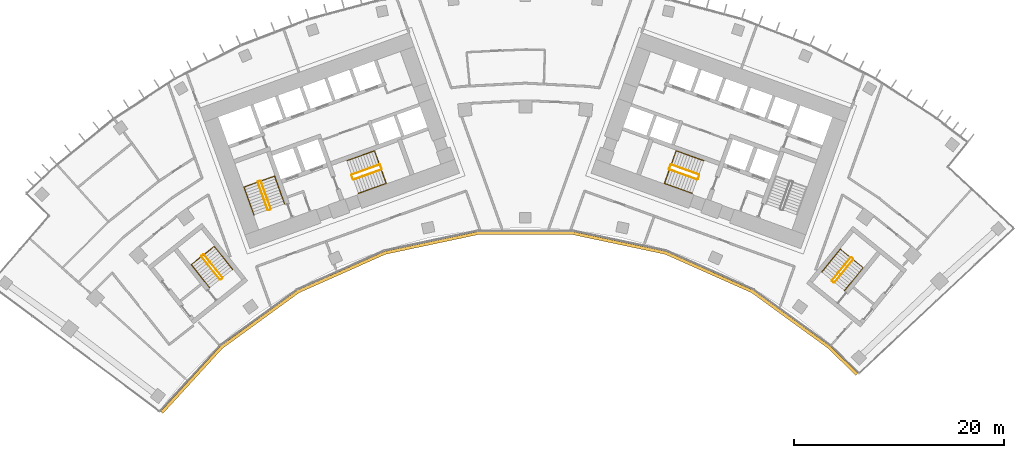
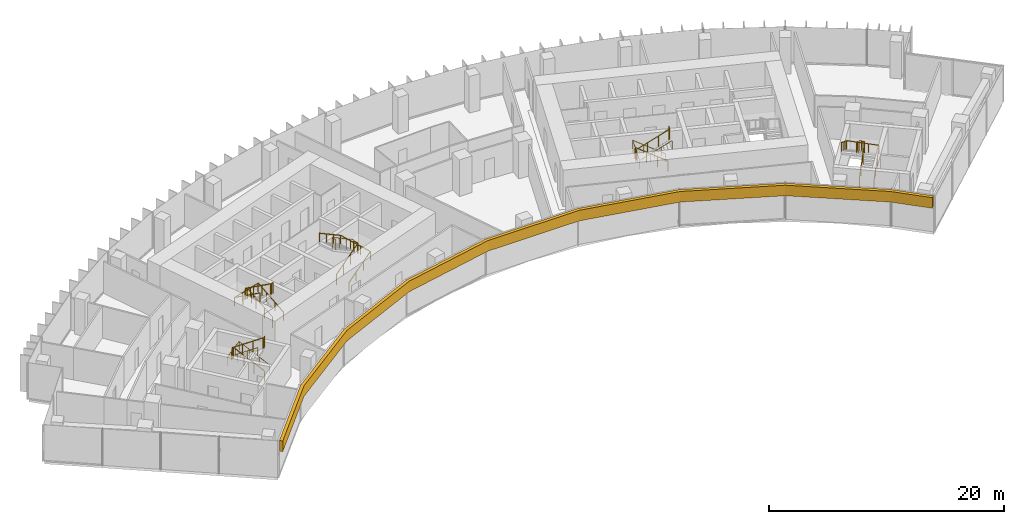
# One storey, part 20 of 21: 15 railings, 1 covering.
"""IFC4 building model written with IfcOpenShell, lengths in metres."""

import ifcopenshell
import ifcopenshell.guid

model = None  # the IFC model being written
_history = None  # IfcOwnerHistory: only IFC2X3 demands one
_inside = {}  # id of a spatial element -> (the spatial element, [elements in it])
_under = {}  # id of a project, library or spatial element -> (it, [spatial elements below it])
_declared = {}  # id of a project -> (the project, [libraries it declares])
_typed = {}  # id of a type object -> (the type object, [elements of that type])
_made_of = {}  # id of a material, layer set ... -> (it, [elements and type objects made of it])


def new_model(schema):
    """Start an empty IFC model of exactly this schema.

    Asked for "IFC4X3", IfcOpenShell would pick the latest addendum, in which some entities
    have other attributes; the version numbers below select the first issue.
    IFC2X3 requires an IfcOwnerHistory on every rooted entity: one is made here for all.
    """
    global model, _history
    if schema == "IFC4X3":
        model = ifcopenshell.file(schema_version=(4, 3, 0, 0))
    else:
        model = ifcopenshell.file(schema=schema)
    _inside.clear()
    _under.clear()
    _declared.clear()
    _typed.clear()
    _made_of.clear()
    _history = None
    if model.schema == "IFC2X3":
        org = make("IfcOrganization", Name="unknown")
        user = make(
            "IfcPersonAndOrganization",
            ThePerson=make("IfcPerson", FamilyName="unknown"),
            TheOrganization=org,
        )
        app = make(
            "IfcApplication",
            ApplicationDeveloper=org,
            Version="unknown",
            ApplicationFullName="unknown",
            ApplicationIdentifier="unknown",
        )
        _history = make(
            "IfcOwnerHistory",
            OwningUser=user,
            OwningApplication=app,
            ChangeAction="ADDED",
            CreationDate=0,
        )
    return model


def make(cls, **values):
    """One entity of the class cls with the attributes given. An attribute that is None is left unset."""
    return model.create_entity(
        cls, **{name: value for name, value in values.items() if value is not None}
    )


def rooted(cls, **values):
    """An entity with a GlobalId (a new one), such as an element, a storey or a relation."""
    return make(cls, GlobalId=ifcopenshell.guid.new(), OwnerHistory=_history, **values)


def si_unit(unit_type, name, prefix=None):
    """IfcSIUnit, for example si_unit("LENGTHUNIT", "METRE", prefix="MILLI")."""
    return make("IfcSIUnit", UnitType=unit_type, Prefix=prefix, Name=name)


def assignment(units):
    """IfcUnitAssignment: the units of a project."""
    return None if units is None else make("IfcUnitAssignment", Units=units)


def point(xyz):
    """IfcCartesianPoint."""
    return None if xyz is None else make("IfcCartesianPoint", Coordinates=xyz)


def direction(xyz):
    """IfcDirection."""
    return None if xyz is None else make("IfcDirection", DirectionRatios=xyz)


def frame(location, z_axis=None, x_axis=None):
    """IfcAxis2Placement3D, a coordinate frame: its origin and axes. An axis left out is left unset."""
    return make(
        "IfcAxis2Placement3D",
        Location=point(location),
        Axis=direction(z_axis),
        RefDirection=direction(x_axis),
    )


def frame_2d(location, x_axis=None):
    """IfcAxis2Placement2D, a coordinate frame in the plane: its origin and x axis."""
    return make(
        "IfcAxis2Placement2D", Location=point(location), RefDirection=direction(x_axis)
    )


def origin():
    """The frame at (0, 0, 0) with its axes left unset."""
    return frame((0.0, 0.0, 0.0))


def origin_2d():
    """The frame at (0, 0) in the plane with its x axis left unset."""
    return frame_2d((0.0, 0.0))


def place(relative_to, where):
    """IfcLocalPlacement: puts the frame where relative to a parent placement (None: the world)."""
    return make(
        "IfcLocalPlacement", PlacementRelTo=relative_to, RelativePlacement=where
    )


def context(
    kind, dimensions, precision=None, world=None, true_north=None, identifier=None
):
    """IfcGeometricRepresentationContext, for example the 3D "Model" context."""
    return make(
        "IfcGeometricRepresentationContext",
        ContextIdentifier=identifier,
        ContextType=kind,
        CoordinateSpaceDimension=dimensions,
        Precision=precision,
        WorldCoordinateSystem=world,
        TrueNorth=true_north,
    )


def subcontext(parent, identifier, kind, view, scale=None):
    """IfcGeometricRepresentationSubContext, for example "Body" below "Model"."""
    return make(
        "IfcGeometricRepresentationSubContext",
        ContextIdentifier=identifier,
        ContextType=kind,
        ParentContext=parent,
        TargetScale=scale,
        TargetView=view,
    )


def project(units=None, contexts=None):
    """IfcProject with its units and contexts."""
    return rooted(
        "IfcProject",
        Name="project",
        RepresentationContexts=contexts,
        UnitsInContext=assignment(units),
    )


def spatial(cls, under=None, at=None, **own):
    """A site, building, storey or space (cls), placed at a placement, below another one or the project."""
    s = rooted(cls, ObjectPlacement=at, **own)
    if under is not None:
        _under.setdefault(under.id(), (under, []))[1].append(s)
    return s


def polyline(points):
    """IfcPolyline through the points."""
    return make("IfcPolyline", Points=[point(p) for p in points])


def profile(cls, at=None, kind="AREA", **sizes):
    """A parametric profile (cls). Its sizes go by their IFC names, for example OverallWidth=200.0."""
    return make(cls, ProfileType=kind, Position=at, **sizes)


def circle(**sizes):
    """IfcCircleProfileDef."""
    return profile("IfcCircleProfileDef", **sizes)


def outline(outer, holes=None, kind="AREA"):
    """IfcArbitraryClosedProfileDef: a profile drawn as a closed curve; with holes, ...WithVoids."""
    if holes is None:
        return make("IfcArbitraryClosedProfileDef", ProfileType=kind, OuterCurve=outer)
    return make(
        "IfcArbitraryProfileDefWithVoids",
        ProfileType=kind,
        OuterCurve=outer,
        InnerCurves=holes,
    )


def extrude(swept, where, along, depth):
    """IfcExtrudedAreaSolid: the profile swept, set in the frame where, extruded along a direction by depth."""
    return make(
        "IfcExtrudedAreaSolid",
        SweptArea=swept,
        Position=where,
        ExtrudedDirection=direction(along),
        Depth=depth,
    )


def shape(context_of_items, identifier, shape_type, items):
    """IfcShapeRepresentation: the items that make up one representation, for example the "Body"."""
    return make(
        "IfcShapeRepresentation",
        ContextOfItems=context_of_items,
        RepresentationIdentifier=identifier,
        RepresentationType=shape_type,
        Items=items,
    )


def material(Name=None, Category=None):
    """IfcMaterial."""
    return make("IfcMaterial", Name=Name, Category=Category)


def layer(
    of_material, thickness, ventilated=None, Name=None, Category=None, Priority=None
):
    """IfcMaterialLayer: one layer of a wall or slab, of a material (None: an air gap)."""
    return make(
        "IfcMaterialLayer",
        Material=of_material,
        LayerThickness=thickness,
        IsVentilated=ventilated,
        Name=Name,
        Category=Category,
        Priority=Priority,
    )


def layer_set(layers, Name=None):
    """IfcMaterialLayerSet."""
    return make("IfcMaterialLayerSet", MaterialLayers=layers, LayerSetName=Name)


def made_of(thing, what):
    """Note that an element or type object is made of a material, layer set ...; save() writes the relation."""
    if what is not None:
        _made_of.setdefault(what.id(), (what, []))[1].append(thing)
    return thing


def type_object(cls, material=None, **own):
    """A type object (cls), such as IfcWallType, which elements share."""
    return made_of(rooted(cls, **own), material)


def element(
    cls,
    number,
    at=None,
    inside=None,
    cuts=None,
    type_object=None,
    material=None,
    context=None,
    identifier="Body",
    shape_type=None,
    held_by="IfcProductDefinitionShape",
    body=None,
    shapes=None,
    **own,
):
    """One element of the class cls, such as IfcWall. Its Tag is "e" and its number.

    at: its placement. inside: the storey or other place that contains it. cuts: it is an
    opening in that element (IfcRelVoidsElement). A single representation is given by context,
    identifier, shape_type and body (its items); several are given by shapes. held_by: the class
    of the entity that holds the representations. save() writes the other relations.
    """
    e = rooted(cls, Tag="e%d" % number, ObjectPlacement=at, **own)
    if body is not None:
        shapes = [shape(context, identifier, shape_type, body)]
    if shapes is not None:
        e.Representation = make(held_by, Representations=shapes)
    if inside is not None:
        _inside.setdefault(inside.id(), (inside, []))[1].append(e)
    if cuts is not None:
        rooted(
            "IfcRelVoidsElement", RelatingBuildingElement=cuts, RelatedOpeningElement=e
        )
    if type_object is not None:
        _typed.setdefault(type_object.id(), (type_object, []))[1].append(e)
    return made_of(e, material)


def aggregate(whole, parts):
    """IfcRelAggregates: a whole, such as a stair, and the parts it consists of."""
    return rooted("IfcRelAggregates", RelatingObject=whole, RelatedObjects=parts)


def save(model, path):
    """Write the relations noted so far, then the file.

    IfcRelAggregates (storeys below a building ...), IfcRelContainedInSpatialStructure (elements
    in a storey), IfcRelDefinesByType, IfcRelAssociatesMaterial and IfcRelDeclares: one each for
    every whole, place, type object, material and project.
    """
    for whole, parts in _under.values():
        aggregate(whole, parts)
    for where, things in _inside.values():
        rooted(
            "IfcRelContainedInSpatialStructure",
            RelatedElements=things,
            RelatingStructure=where,
        )
    for kind, things in _typed.values():
        rooted("IfcRelDefinesByType", RelatedObjects=things, RelatingType=kind)
    for what, things in _made_of.values():
        rooted("IfcRelAssociatesMaterial", RelatedObjects=things, RelatingMaterial=what)
    for by, libraries in _declared.values():
        rooted("IfcRelDeclares", RelatingContext=by, RelatedDefinitions=libraries)
    model.write(path)


model = new_model("IFC4")

# Units and contexts
model_context = context("Model", 3, precision=1e-05, world=origin(), true_north=direction((0.0, 1.0)))
body_context = subcontext(model_context, "Body", "Model", "MODEL_VIEW")
ifc_project = project(units=[si_unit("LENGTHUNIT", "METRE"), si_unit("AREAUNIT", "SQUARE_METRE"), si_unit("VOLUMEUNIT", "CUBIC_METRE"), si_unit("PLANEANGLEUNIT", "RADIAN"), si_unit("MASSUNIT", "GRAM", prefix="KILO")], contexts=[model_context])

# Site, building, storey
site_placement = place(None, origin())
site = spatial("IfcSite", under=ifc_project, at=site_placement, CompositionType="ELEMENT")
building_placement = place(site_placement, origin())
building = spatial("IfcBuilding", under=site, at=building_placement, Name="Stone Belt Terrace Tower", CompositionType="ELEMENT")
storey_placement = place(building_placement, frame((0.0, 0.0, 189.60009765625)))
storey = spatial("IfcBuildingStorey", under=building, at=storey_placement, Name="L46", CompositionType="ELEMENT", Elevation=189.60009765625)

# Railings
ifc_material_1 = material(Name="Structural steel C345", Category="steel")
railing_type_1 = type_object("IfcRailingType", Name="Stair guard 1100", PredefinedType="GUARDRAIL", material=ifc_material_1)
railing_1_placement = place(storey_placement, frame((-24.2119140625, 45.276123046875, 0.172607421875)))
element("IfcRailing", 1, at=railing_1_placement, inside=storey, type_object=railing_type_1, Name="L46 ST1A stair guard 1", PredefinedType="GUARDRAIL", context=body_context, shape_type="SweptSolid", body=[
    extrude(circle(Radius=0.02392578125, at=origin_2d()), frame((0.0, 0.0, 1.076171875), z_axis=(-0.288228637646, 0.800791768495, 0.525030280985), x_axis=(-0.940908529223, -0.338660803216, 0.0)), (0.0, 0.0, 1.0), 3.289794921875),
    extrude(circle(Radius=0.02392578125, at=origin_2d()), frame((-0.9482421875, 2.634521484375, 2.80322265625), z_axis=(-0.905209821074, 0.424964916, 0.0), x_axis=(-0.424964916, -0.905209821074, 0.0)), (0.0, 0.0, 1.0), 0.070556640625),
    extrude(circle(Radius=0.02392578125, at=origin_2d()), frame((-1.01220703125, 2.66455078125, 2.80322265625), z_axis=(-0.941105063269, -0.338114270461, 0.0), x_axis=(0.338114270461, -0.941105063269, 0.0)), (0.0, 0.0, 1.0), 0.199951171875),
    extrude(circle(Radius=0.02099609375, at=origin_2d()), origin(), (0.0, 0.0, 1.0), 1.052001953125),
    extrude(circle(Radius=0.02099609375, at=origin_2d()), frame((-0.316162109375, 0.878173828125, 0.57568359375)), (0.0, 0.0, 1.0), 1.052001953125),
    extrude(circle(Radius=0.02099609375, at=origin_2d()), frame((-0.632080078125, 1.75634765625, 1.151611328125)), (0.0, 0.0, 1.0), 1.052001953125),
    extrude(circle(Radius=0.02099609375, at=origin_2d()), frame((-0.9482421875, 2.634521484375, 1.727294921875)), (0.0, 0.0, 1.0), 1.052001953125),
    extrude(circle(Radius=0.02099609375, at=origin_2d()), frame((-1.01220703125, 2.66455078125, 1.727294921875)), (0.0, 0.0, 1.0), 1.052001953125),
    extrude(circle(Radius=0.02099609375, at=origin_2d()), frame((-1.200439453125, 2.596923828125, 1.727294921875)), (0.0, 0.0, 1.0), 1.052001953125),
])
railing_2_placement = place(storey_placement, frame((-25.4423828125, 47.80908203125, 2.072509765625)))
element("IfcRailing", 2, at=railing_2_placement, inside=storey, type_object=railing_type_1, Name="L46 ST1A stair guard 2", PredefinedType="GUARDRAIL", context=body_context, shape_type="SweptSolid", body=[
    extrude(circle(Radius=0.02392578125, at=origin_2d()), frame((0.0, 0.0, 1.076171875), z_axis=(0.288228637646, -0.800791768495, 0.525030280985), x_axis=(0.940908529223, 0.338660803216, 0.0)), (0.0, 0.0, 1.0), 3.289794921875),
    extrude(circle(Radius=0.02392578125, at=origin_2d()), frame((0.9482421875, -2.634521484375, 2.80322265625), z_axis=(0.903878284585, -0.427789722475, 0.0), x_axis=(0.427789722475, 0.903878284585, 0.0)), (0.0, 0.0, 1.0), 0.07080078125),
    extrude(circle(Radius=0.02392578125, at=origin_2d()), frame((1.01220703125, -2.664794921875, 2.80322265625), z_axis=(0.940575576748, 0.339584429008, 0.0), x_axis=(-0.339584429008, 0.940575576748, 0.0)), (0.0, 0.0, 1.0), 0.199951171875),
    extrude(circle(Radius=0.02099609375, at=origin_2d()), origin(), (0.0, 0.0, 1.0), 1.052001953125),
    extrude(circle(Radius=0.02099609375, at=origin_2d()), frame((0.316162109375, -0.878173828125, 0.57568359375)), (0.0, 0.0, 1.0), 1.052001953125),
    extrude(circle(Radius=0.02099609375, at=origin_2d()), frame((0.632080078125, -1.75634765625, 1.151611328125)), (0.0, 0.0, 1.0), 1.052001953125),
    extrude(circle(Radius=0.02099609375, at=origin_2d()), frame((0.9482421875, -2.634521484375, 1.727294921875)), (0.0, 0.0, 1.0), 1.052001953125),
    extrude(circle(Radius=0.02099609375, at=origin_2d()), frame((1.01220703125, -2.664794921875, 1.727294921875)), (0.0, 0.0, 1.0), 1.052001953125),
    extrude(circle(Radius=0.02099609375, at=origin_2d()), frame((1.2001953125, -2.596923828125, 1.727294921875)), (0.0, 0.0, 1.0), 1.052001953125),
])
railing_3_placement = place(storey_placement, frame((-16.33837890625, 48.056640625, 0.172607421875)))
element("IfcRailing", 3, at=railing_3_placement, inside=storey, type_object=railing_type_1, Name="L46 ST2A stair guard 1", PredefinedType="GUARDRAIL", context=body_context, shape_type="SweptSolid", body=[
    extrude(circle(Radius=0.02392578125, at=origin_2d()), frame((0.0, 0.0, 1.076171875), z_axis=(0.800808895155, 0.288160591223, 0.52504150989), x_axis=(-0.338583606334, 0.940936311087, 0.0)), (0.0, 0.0, 1.0), 3.289794921875),
    extrude(circle(Radius=0.02392578125, at=origin_2d()), frame((2.634521484375, 0.947998046875, 2.80322265625), z_axis=(0.427789722475, 0.903878284585, 0.0), x_axis=(-0.903878284585, 0.427789722475, 0.0)), (0.0, 0.0, 1.0), 0.07080078125),
    extrude(circle(Radius=0.02392578125, at=origin_2d()), frame((2.664794921875, 1.011962890625, 2.80322265625), z_axis=(-0.338654645739, 0.940910745459, 0.0), x_axis=(-0.940910745459, -0.338654645739, 0.0)), (0.0, 0.0, 1.0), 0.400146484375),
    extrude(circle(Radius=0.02099609375, at=origin_2d()), origin(), (0.0, 0.0, 1.0), 1.052001953125),
    extrude(circle(Radius=0.02099609375, at=origin_2d()), frame((0.878173828125, 0.31591796875, 0.57568359375)), (0.0, 0.0, 1.0), 1.052001953125),
    extrude(circle(Radius=0.02099609375, at=origin_2d()), frame((1.75634765625, 0.632080078125, 1.151611328125)), (0.0, 0.0, 1.0), 1.052001953125),
    extrude(circle(Radius=0.02099609375, at=origin_2d()), frame((2.634521484375, 0.947998046875, 1.727294921875)), (0.0, 0.0, 1.0), 1.052001953125),
    extrude(circle(Radius=0.02099609375, at=origin_2d()), frame((2.664794921875, 1.011962890625, 1.727294921875)), (0.0, 0.0, 1.0), 1.052001953125),
    extrude(circle(Radius=0.02099609375, at=origin_2d()), frame((2.529296875, 1.388427734375, 1.727294921875)), (0.0, 0.0, 1.0), 1.052001953125),
])
railing_4_placement = place(storey_placement, frame((-13.873046875, 49.47509765625, 2.072509765625)))
element("IfcRailing", 4, at=railing_4_placement, inside=storey, type_object=railing_type_1, Name="L46 ST2A stair guard 2", PredefinedType="GUARDRAIL", context=body_context, shape_type="SweptSolid", body=[
    extrude(circle(Radius=0.02392578125, at=origin_2d()), frame((0.0, 0.0, 1.076171875), z_axis=(-0.800808895155, -0.288160591223, 0.52504150989), x_axis=(0.338583606334, -0.940936311087, 0.0)), (0.0, 0.0, 1.0), 3.289794921875),
    extrude(circle(Radius=0.02392578125, at=origin_2d()), frame((-2.634521484375, -0.947998046875, 2.80322265625), z_axis=(-0.427789722475, -0.903878284585, 0.0), x_axis=(0.903878284585, -0.427789722475, 0.0)), (0.0, 0.0, 1.0), 0.07080078125),
    extrude(circle(Radius=0.02392578125, at=origin_2d()), frame((-2.664794921875, -1.011962890625, 2.80322265625), z_axis=(0.338654645739, -0.940910745459, 0.0), x_axis=(0.940910745459, 0.338654645739, 0.0)), (0.0, 0.0, 1.0), 0.400146484375),
    extrude(circle(Radius=0.02099609375, at=origin_2d()), origin(), (0.0, 0.0, 1.0), 1.052001953125),
    extrude(circle(Radius=0.02099609375, at=origin_2d()), frame((-0.878173828125, -0.31591796875, 0.57568359375)), (0.0, 0.0, 1.0), 1.052001953125),
    extrude(circle(Radius=0.02099609375, at=origin_2d()), frame((-1.75634765625, -0.632080078125, 1.151611328125)), (0.0, 0.0, 1.0), 1.052001953125),
    extrude(circle(Radius=0.02099609375, at=origin_2d()), frame((-2.634521484375, -0.947998046875, 1.727294921875)), (0.0, 0.0, 1.0), 1.052001953125),
    extrude(circle(Radius=0.02099609375, at=origin_2d()), frame((-2.664794921875, -1.011962890625, 1.727294921875)), (0.0, 0.0, 1.0), 1.052001953125),
    extrude(circle(Radius=0.02099609375, at=origin_2d()), frame((-2.529296875, -1.388427734375, 1.727294921875)), (0.0, 0.0, 1.0), 1.052001953125),
])
railing_5_placement = place(storey_placement, frame((16.507568359375, 48.527099609375, 0.172607421875)))
element("IfcRailing", 5, at=railing_5_placement, inside=storey, type_object=railing_type_1, Name="L46 ST2B stair guard 1", PredefinedType="GUARDRAIL", context=body_context, shape_type="SweptSolid", body=[
    extrude(circle(Radius=0.02392578125, at=origin_2d()), frame((0.0, 0.0, 1.076171875), z_axis=(-0.800808895155, 0.288160591223, 0.52504150989), x_axis=(-0.338583606334, -0.940936311087, 0.0)), (0.0, 0.0, 1.0), 3.289794921875),
    extrude(circle(Radius=0.02392578125, at=origin_2d()), frame((-2.634521484375, 0.947998046875, 2.80322265625), z_axis=(-0.905209821074, -0.424964916, 0.0), x_axis=(0.424964916, -0.905209821074, 0.0)), (0.0, 0.0, 1.0), 0.070556640625),
    extrude(circle(Radius=0.02392578125, at=origin_2d()), frame((-2.698486328125, 0.91796875, 2.80322265625), z_axis=(-0.338654645739, -0.940910745459, 0.0), x_axis=(0.940910745459, -0.338654645739, 0.0)), (0.0, 0.0, 1.0), 0.400146484375),
    extrude(circle(Radius=0.02099609375, at=origin_2d()), origin(), (0.0, 0.0, 1.0), 1.052001953125),
    extrude(circle(Radius=0.02099609375, at=origin_2d()), frame((-0.878173828125, 0.31591796875, 0.57568359375)), (0.0, 0.0, 1.0), 1.052001953125),
    extrude(circle(Radius=0.02099609375, at=origin_2d()), frame((-1.75634765625, 0.632080078125, 1.151611328125)), (0.0, 0.0, 1.0), 1.052001953125),
    extrude(circle(Radius=0.02099609375, at=origin_2d()), frame((-2.634521484375, 0.947998046875, 1.727294921875)), (0.0, 0.0, 1.0), 1.052001953125),
    extrude(circle(Radius=0.02099609375, at=origin_2d()), frame((-2.698486328125, 0.91796875, 1.727294921875)), (0.0, 0.0, 1.0), 1.052001953125),
    extrude(circle(Radius=0.02099609375, at=origin_2d()), frame((-2.833984375, 0.54150390625, 1.727294921875)), (0.0, 0.0, 1.0), 1.052001953125),
])
railing_6_placement = place(storey_placement, frame((13.703857421875, 49.004638671875, 2.072509765625)))
element("IfcRailing", 6, at=railing_6_placement, inside=storey, type_object=railing_type_1, Name="L46 ST2B stair guard 2", PredefinedType="GUARDRAIL", context=body_context, shape_type="SweptSolid", body=[
    extrude(circle(Radius=0.02392578125, at=origin_2d()), frame((0.0, 0.0, 1.076171875), z_axis=(0.800808895155, -0.288160591223, 0.52504150989), x_axis=(0.338583606334, 0.940936311087, 0.0)), (0.0, 0.0, 1.0), 3.289794921875),
    extrude(circle(Radius=0.02392578125, at=origin_2d()), frame((2.634521484375, -0.947998046875, 2.80322265625), z_axis=(0.905209821074, 0.424964916, 0.0), x_axis=(-0.424964916, 0.905209821074, 0.0)), (0.0, 0.0, 1.0), 0.070556640625),
    extrude(circle(Radius=0.02392578125, at=origin_2d()), frame((2.698486328125, -0.91796875, 2.80322265625), z_axis=(0.338654645739, 0.940910745459, 0.0), x_axis=(-0.940910745459, 0.338654645739, 0.0)), (0.0, 0.0, 1.0), 0.400146484375),
    extrude(circle(Radius=0.02099609375, at=origin_2d()), origin(), (0.0, 0.0, 1.0), 1.052001953125),
    extrude(circle(Radius=0.02099609375, at=origin_2d()), frame((0.878173828125, -0.31591796875, 0.57568359375)), (0.0, 0.0, 1.0), 1.052001953125),
    extrude(circle(Radius=0.02099609375, at=origin_2d()), frame((1.75634765625, -0.632080078125, 1.151611328125)), (0.0, 0.0, 1.0), 1.052001953125),
    extrude(circle(Radius=0.02099609375, at=origin_2d()), frame((2.634521484375, -0.947998046875, 1.727294921875)), (0.0, 0.0, 1.0), 1.052001953125),
    extrude(circle(Radius=0.02099609375, at=origin_2d()), frame((2.698486328125, -0.91796875, 1.727294921875)), (0.0, 0.0, 1.0), 1.052001953125),
    extrude(circle(Radius=0.02099609375, at=origin_2d()), frame((2.833984375, -0.54150390625, 1.727294921875)), (0.0, 0.0, 1.0), 1.052001953125),
])
railing_7_placement = place(storey_placement, frame((-28.814208984375, 38.734619140625, 0.172607421875)))
element("IfcRailing", 7, at=railing_7_placement, inside=storey, type_object=railing_type_1, Name="L46 ST3A stair guard 1", PredefinedType="GUARDRAIL", context=body_context, shape_type="SweptSolid", body=[
    extrude(circle(Radius=0.02392578125, at=origin_2d()), frame((0.0, 0.0, 1.076171875), z_axis=(-0.530306321799, 0.665665785969, 0.525037395288), x_axis=(-0.782143211408, -0.623098705543, 0.0)), (0.0, 0.0, 1.0), 3.289794921875),
    extrude(circle(Radius=0.02392578125, at=origin_2d()), frame((-1.74462890625, 2.18994140625, 2.80322265625), z_axis=(-0.993883734674, 0.110431526075, 0.0), x_axis=(-0.110431526075, -0.993883734674, 0.0)), (0.0, 0.0, 1.0), 0.07080078125),
    extrude(circle(Radius=0.02392578125, at=origin_2d()), frame((-1.81494140625, 2.19775390625, 2.80322265625), z_axis=(-0.782533463299, -0.622608527742, 0.0), x_axis=(0.622608527742, -0.782533463299, 0.0)), (0.0, 0.0, 1.0), 0.199951171875),
    extrude(circle(Radius=0.02099609375, at=origin_2d()), origin(), (0.0, 0.0, 1.0), 1.052001953125),
    extrude(circle(Radius=0.02099609375, at=origin_2d()), frame((-0.58154296875, 0.72998046875, 0.57568359375)), (0.0, 0.0, 1.0), 1.052001953125),
    extrude(circle(Radius=0.02099609375, at=origin_2d()), frame((-1.1630859375, 1.4599609375, 1.151611328125)), (0.0, 0.0, 1.0), 1.052001953125),
    extrude(circle(Radius=0.02099609375, at=origin_2d()), frame((-1.74462890625, 2.18994140625, 1.727294921875)), (0.0, 0.0, 1.0), 1.052001953125),
    extrude(circle(Radius=0.02099609375, at=origin_2d()), frame((-1.81494140625, 2.19775390625, 1.727294921875)), (0.0, 0.0, 1.0), 1.052001953125),
    extrude(circle(Radius=0.02099609375, at=origin_2d()), frame((-1.971435546875, 2.0732421875, 1.727294921875)), (0.0, 0.0, 1.0), 1.052001953125),
])
railing_8_placement = place(storey_placement, frame((-30.793701171875, 40.737548828125, 2.072509765625)))
element("IfcRailing", 8, at=railing_8_placement, inside=storey, type_object=railing_type_1, Name="L46 ST3A stair guard 2", PredefinedType="GUARDRAIL", context=body_context, shape_type="SweptSolid", body=[
    extrude(circle(Radius=0.02392578125, at=origin_2d()), frame((0.0, 0.0, 1.076171875), z_axis=(0.530359659125, -0.665639588968, 0.525016732659), x_axis=(0.782100716982, 0.62315204284, 0.0)), (0.0, 0.0, 1.0), 3.2900390625),
    extrude(circle(Radius=0.02392578125, at=origin_2d()), frame((1.744873046875, -2.18994140625, 2.80322265625), z_axis=(0.993499272973, -0.113838458361, 0.0), x_axis=(0.113838458361, 0.993499272973, 0.0)), (0.0, 0.0, 1.0), 0.07080078125),
    extrude(circle(Radius=0.02392578125, at=origin_2d()), frame((1.815185546875, -2.197998046875, 2.80322265625), z_axis=(0.781464082609, 0.623950228458, 0.0), x_axis=(-0.623950228458, 0.781464082609, 0.0)), (0.0, 0.0, 1.0), 0.199951171875),
    extrude(circle(Radius=0.02099609375, at=origin_2d()), origin(), (0.0, 0.0, 1.0), 1.052001953125),
    extrude(circle(Radius=0.02099609375, at=origin_2d()), frame((0.58154296875, -0.72998046875, 0.57568359375)), (0.0, 0.0, 1.0), 1.052001953125),
    extrude(circle(Radius=0.02099609375, at=origin_2d()), frame((1.163330078125, -1.4599609375, 1.151611328125)), (0.0, 0.0, 1.0), 1.052001953125),
    extrude(circle(Radius=0.02099609375, at=origin_2d()), frame((1.744873046875, -2.18994140625, 1.727294921875)), (0.0, 0.0, 1.0), 1.052001953125),
    extrude(circle(Radius=0.02099609375, at=origin_2d()), frame((1.815185546875, -2.197998046875, 1.727294921875)), (0.0, 0.0, 1.0), 1.052001953125),
    extrude(circle(Radius=0.02099609375, at=origin_2d()), frame((1.971435546875, -2.0732421875, 1.727294921875)), (0.0, 0.0, 1.0), 1.052001953125),
])
railing_9_placement = place(storey_placement, frame((29.39794921875, 38.281982421875, 0.172607421875)))
element("IfcRailing", 9, at=railing_9_placement, inside=storey, type_object=railing_type_1, Name="L46 ST3B stair guard 1", PredefinedType="GUARDRAIL", context=body_context, shape_type="SweptSolid", body=[
    extrude(circle(Radius=0.02392578125, at=origin_2d()), frame((0.0, 0.0, 1.076171875), z_axis=(0.536393061503, 0.660769759217, 0.525038864158), x_axis=(-0.776391310223, 0.630251166924, 0.0)), (0.0, 0.0, 1.0), 3.289794921875),
    extrude(circle(Radius=0.02392578125, at=origin_2d()), frame((1.7646484375, 2.173828125, 2.80322265625), z_axis=(-0.103251414163, 0.994655289773, 0.0), x_axis=(-0.994655289773, -0.103251414163, 0.0)), (0.0, 0.0, 1.0), 0.071044921875),
    extrude(circle(Radius=0.02392578125, at=origin_2d()), frame((1.75732421875, 2.244384765625, 2.80322265625), z_axis=(-0.776561986372, 0.630040856868, 0.0), x_axis=(-0.630040856868, -0.776561986372, 0.0)), (0.0, 0.0, 1.0), 0.199951171875),
    extrude(circle(Radius=0.02099609375, at=origin_2d()), origin(), (0.0, 0.0, 1.0), 1.052001953125),
    extrude(circle(Radius=0.02099609375, at=origin_2d()), frame((0.588134765625, 0.724609375, 0.57568359375)), (0.0, 0.0, 1.0), 1.052001953125),
    extrude(circle(Radius=0.02099609375, at=origin_2d()), frame((1.176513671875, 1.44921875, 1.151611328125)), (0.0, 0.0, 1.0), 1.052001953125),
    extrude(circle(Radius=0.02099609375, at=origin_2d()), frame((1.7646484375, 2.173828125, 1.727294921875)), (0.0, 0.0, 1.0), 1.052001953125),
    extrude(circle(Radius=0.02099609375, at=origin_2d()), frame((1.75732421875, 2.244384765625, 1.727294921875)), (0.0, 0.0, 1.0), 1.052001953125),
    extrude(circle(Radius=0.02099609375, at=origin_2d()), frame((1.60205078125, 2.370361328125, 1.727294921875)), (0.0, 0.0, 1.0), 1.052001953125),
])
railing_10_placement = place(storey_placement, frame((30.9296875, 40.64501953125, 2.072509765625)))
element("IfcRailing", 10, at=railing_10_placement, inside=storey, type_object=railing_type_1, Name="L46 ST3B stair guard 2", PredefinedType="GUARDRAIL", context=body_context, shape_type="SweptSolid", body=[
    extrude(circle(Radius=0.02392578125, at=origin_2d()), frame((0.0, 0.0, 1.076171875), z_axis=(-0.536366759382, -0.660811565066, 0.525013118792), x_axis=(0.776425942316, -0.630208502084, 0.0)), (0.0, 0.0, 1.0), 3.2900390625),
    extrude(circle(Radius=0.02392578125, at=origin_2d()), frame((-1.7646484375, -2.174072265625, 2.80322265625), z_axis=(0.103606084259, -0.994618408891, 0.0), x_axis=(0.994618408891, 0.103606084259, 0.0)), (0.0, 0.0, 1.0), 0.07080078125),
    extrude(circle(Radius=0.02392578125, at=origin_2d()), frame((-1.75732421875, -2.244384765625, 2.80322265625), z_axis=(0.776561986372, -0.630040856868, 0.0), x_axis=(0.630040856868, 0.776561986372, 0.0)), (0.0, 0.0, 1.0), 0.199951171875),
    extrude(circle(Radius=0.02099609375, at=origin_2d()), origin(), (0.0, 0.0, 1.0), 1.052001953125),
    extrude(circle(Radius=0.02099609375, at=origin_2d()), frame((-0.588134765625, -0.724609375, 0.57568359375)), (0.0, 0.0, 1.0), 1.052001953125),
    extrude(circle(Radius=0.02099609375, at=origin_2d()), frame((-1.176513671875, -1.449462890625, 1.151611328125)), (0.0, 0.0, 1.0), 1.052001953125),
    extrude(circle(Radius=0.02099609375, at=origin_2d()), frame((-1.7646484375, -2.174072265625, 1.727294921875)), (0.0, 0.0, 1.0), 1.052001953125),
    extrude(circle(Radius=0.02099609375, at=origin_2d()), frame((-1.75732421875, -2.244384765625, 1.727294921875)), (0.0, 0.0, 1.0), 1.052001953125),
    extrude(circle(Radius=0.02099609375, at=origin_2d()), frame((-1.60205078125, -2.370361328125, 1.727294921875)), (0.0, 0.0, 1.0), 1.052001953125),
])
railing_type_2 = type_object("IfcRailingType", Name="Stair handrail 900", PredefinedType="HANDRAIL", material=ifc_material_1)
railing_11_placement = place(storey_placement, frame((-22.894775390625, 45.750244140625, 0.172607421875)))
element("IfcRailing", 11, at=railing_11_placement, inside=storey, type_object=railing_type_2, Name="L46 ST1A stair handrail 1", PredefinedType="HANDRAIL", context=body_context, shape_type="SweptSolid", body=[
    extrude(circle(Radius=0.02392578125, at=origin_2d()), frame((0.0, 0.0, 0.8759765625), z_axis=(-0.288160591223, 0.800808895155, 0.52504150989), x_axis=(-0.940936311087, -0.338583606334, 0.0)), (0.0, 0.0, 1.0), 3.289794921875),
    extrude(circle(Radius=0.02392578125, at=origin_2d()), frame((-0.947998046875, 2.634521484375, 2.60302734375), z_axis=(-0.939464517435, -0.338106580597, 0.055591012205), x_axis=(0.338630230244, -0.940919532779, 0.0)), (0.0, 0.0, 1.0), 3.10498046875),
    extrude(circle(Radius=0.02392578125, at=origin_2d()), frame((-3.864990234375, 1.584716796875, 2.77587890625), z_axis=(0.288228637646, -0.800791768495, 0.525030280985), x_axis=(0.940908529223, 0.338660803216, 0.0)), (0.0, 0.0, 1.0), 3.289794921875),
    extrude(circle(Radius=0.02099609375, at=origin_2d()), origin(), (0.0, 0.0, 1.0), 0.851806640625),
    extrude(circle(Radius=0.02099609375, at=origin_2d()), frame((-0.31591796875, 0.878173828125, 0.57568359375)), (0.0, 0.0, 1.0), 0.851806640625),
    extrude(circle(Radius=0.02099609375, at=origin_2d()), frame((-0.632080078125, 1.75634765625, 1.151611328125)), (0.0, 0.0, 1.0), 0.851806640625),
    extrude(circle(Radius=0.02099609375, at=origin_2d()), frame((-0.947998046875, 2.634521484375, 1.727294921875)), (0.0, 0.0, 1.0), 0.851806640625),
    extrude(circle(Radius=0.02099609375, at=origin_2d()), frame((-1.92041015625, 2.28466796875, 1.784912109375)), (0.0, 0.0, 1.0), 0.851806640625),
    extrude(circle(Radius=0.02099609375, at=origin_2d()), frame((-2.892578125, 1.9345703125, 1.84228515625)), (0.0, 0.0, 1.0), 0.851806640625),
    extrude(circle(Radius=0.02099609375, at=origin_2d()), frame((-3.864990234375, 1.584716796875, 1.89990234375)), (0.0, 0.0, 1.0), 0.851806640625),
    extrude(circle(Radius=0.02099609375, at=origin_2d()), frame((-3.548828125, 0.70654296875, 2.4755859375)), (0.0, 0.0, 1.0), 0.851806640625),
    extrude(circle(Radius=0.02099609375, at=origin_2d()), frame((-3.23291015625, -0.171630859375, 3.051513671875)), (0.0, 0.0, 1.0), 0.851806640625),
    extrude(circle(Radius=0.02099609375, at=origin_2d()), frame((-2.916748046875, -1.0498046875, 3.627197265625)), (0.0, 0.0, 1.0), 0.851806640625),
])
railing_12_placement = place(storey_placement, frame((-15.8642578125, 46.7392578125, 0.172607421875)))
element("IfcRailing", 12, at=railing_12_placement, inside=storey, type_object=railing_type_2, Name="L46 ST2A stair handrail 1", PredefinedType="HANDRAIL", context=body_context, shape_type="SweptSolid", body=[
    extrude(circle(Radius=0.02392578125, at=origin_2d()), frame((0.0, 0.0, 0.8759765625), z_axis=(0.800791768495, 0.288228637646, 0.525030280985), x_axis=(-0.338660803216, 0.940908529223, 0.0)), (0.0, 0.0, 1.0), 3.289794921875),
    extrude(circle(Radius=0.02392578125, at=origin_2d()), frame((2.634521484375, 0.9482421875, 2.60302734375), z_axis=(-0.338160254016, 0.939637778147, 0.052234935458), x_axis=(-0.940922302781, -0.338622533404, 0.0)), (0.0, 0.0, 1.0), 3.304443359375),
    extrude(circle(Radius=0.02392578125, at=origin_2d()), frame((1.51708984375, 4.05322265625, 2.77587890625), z_axis=(-0.800791768495, -0.288228637646, 0.525030280985), x_axis=(0.338660803216, -0.940908529223, 0.0)), (0.0, 0.0, 1.0), 3.289794921875),
    extrude(circle(Radius=0.02099609375, at=origin_2d()), origin(), (0.0, 0.0, 1.0), 0.851806640625),
    extrude(circle(Radius=0.02099609375, at=origin_2d()), frame((0.878173828125, 0.316162109375, 0.57568359375)), (0.0, 0.0, 1.0), 0.851806640625),
    extrude(circle(Radius=0.02099609375, at=origin_2d()), frame((1.75634765625, 0.632080078125, 1.151611328125)), (0.0, 0.0, 1.0), 0.851806640625),
    extrude(circle(Radius=0.02099609375, at=origin_2d()), frame((2.634521484375, 0.9482421875, 1.727294921875)), (0.0, 0.0, 1.0), 0.851806640625),
    extrude(circle(Radius=0.02099609375, at=origin_2d()), frame((2.261962890625, 1.983154296875, 1.784912109375)), (0.0, 0.0, 1.0), 0.851806640625),
    extrude(circle(Radius=0.02099609375, at=origin_2d()), frame((1.8896484375, 3.018310546875, 1.84228515625)), (0.0, 0.0, 1.0), 0.851806640625),
    extrude(circle(Radius=0.02099609375, at=origin_2d()), frame((1.51708984375, 4.05322265625, 1.89990234375)), (0.0, 0.0, 1.0), 0.851806640625),
    extrude(circle(Radius=0.02099609375, at=origin_2d()), frame((0.638916015625, 3.737060546875, 2.4755859375)), (0.0, 0.0, 1.0), 0.851806640625),
    extrude(circle(Radius=0.02099609375, at=origin_2d()), frame((-0.2392578125, 3.421142578125, 3.051513671875)), (0.0, 0.0, 1.0), 0.851806640625),
    extrude(circle(Radius=0.02099609375, at=origin_2d()), frame((-1.117431640625, 3.10498046875, 3.627197265625)), (0.0, 0.0, 1.0), 0.851806640625),
])
railing_13_placement = place(storey_placement, frame((16.981689453125, 49.84423828125, 0.172607421875)))
element("IfcRailing", 13, at=railing_13_placement, inside=storey, type_object=railing_type_2, Name="L46 ST2B stair handrail 1", PredefinedType="HANDRAIL", context=body_context, shape_type="SweptSolid", body=[
    extrude(circle(Radius=0.02392578125, at=origin_2d()), frame((0.0, 0.0, 0.8759765625), z_axis=(-0.800791768495, 0.288228637646, 0.525030280985), x_axis=(-0.338660803216, -0.940908529223, 0.0)), (0.0, 0.0, 1.0), 3.289794921875),
    extrude(circle(Radius=0.02392578125, at=origin_2d()), frame((-2.634521484375, 0.9482421875, 2.60302734375), z_axis=(-0.338160254016, -0.939637778147, 0.052234935458), x_axis=(0.940922302781, -0.338622533404, 0.0)), (0.0, 0.0, 1.0), 3.304443359375),
    extrude(circle(Radius=0.02392578125, at=origin_2d()), frame((-3.751953125, -2.15673828125, 2.77587890625), z_axis=(0.800791768495, -0.288228637646, 0.525030280985), x_axis=(0.338660803216, 0.940908529223, 0.0)), (0.0, 0.0, 1.0), 3.289794921875),
    extrude(circle(Radius=0.02099609375, at=origin_2d()), origin(), (0.0, 0.0, 1.0), 0.851806640625),
    extrude(circle(Radius=0.02099609375, at=origin_2d()), frame((-0.878173828125, 0.316162109375, 0.57568359375)), (0.0, 0.0, 1.0), 0.851806640625),
    extrude(circle(Radius=0.02099609375, at=origin_2d()), frame((-1.75634765625, 0.632080078125, 1.151611328125)), (0.0, 0.0, 1.0), 0.851806640625),
    extrude(circle(Radius=0.02099609375, at=origin_2d()), frame((-2.634521484375, 0.9482421875, 1.727294921875)), (0.0, 0.0, 1.0), 0.851806640625),
    extrude(circle(Radius=0.02099609375, at=origin_2d()), frame((-3.007080078125, -0.086669921875, 1.784912109375)), (0.0, 0.0, 1.0), 0.851806640625),
    extrude(circle(Radius=0.02099609375, at=origin_2d()), frame((-3.37939453125, -1.121826171875, 1.84228515625)), (0.0, 0.0, 1.0), 0.851806640625),
    extrude(circle(Radius=0.02099609375, at=origin_2d()), frame((-3.751953125, -2.15673828125, 1.89990234375)), (0.0, 0.0, 1.0), 0.851806640625),
    extrude(circle(Radius=0.02099609375, at=origin_2d()), frame((-2.873779296875, -2.472900390625, 2.4755859375)), (0.0, 0.0, 1.0), 0.851806640625),
    extrude(circle(Radius=0.02099609375, at=origin_2d()), frame((-1.99560546875, -2.788818359375, 3.051513671875)), (0.0, 0.0, 1.0), 0.851806640625),
    extrude(circle(Radius=0.02099609375, at=origin_2d()), frame((-1.117431640625, -3.10498046875, 3.627197265625)), (0.0, 0.0, 1.0), 0.851806640625),
])
railing_14_placement = place(storey_placement, frame((-27.836669921875, 39.513427734375, 0.172607421875)))
element("IfcRailing", 14, at=railing_14_placement, inside=storey, type_object=railing_type_2, Name="L46 ST3A stair handrail 1", PredefinedType="HANDRAIL", context=body_context, shape_type="SweptSolid", body=[
    extrude(circle(Radius=0.02392578125, at=origin_2d()), frame((0.0, 0.0, 0.8759765625), z_axis=(-0.530306321799, 0.665665785969, 0.525037395288), x_axis=(-0.782143211408, -0.623098705543, 0.0)), (0.0, 0.0, 1.0), 3.289794921875),
    extrude(circle(Radius=0.02392578125, at=origin_2d()), frame((-1.74462890625, 2.18994140625, 2.60302734375), z_axis=(-0.780661215256, -0.62191806513, 0.061530376721), x_axis=(0.623098705543, -0.782143211408, 0.0)), (0.0, 0.0, 1.0), 2.80517578125),
    extrude(circle(Radius=0.02392578125, at=origin_2d()), frame((-3.9345703125, 0.4453125, 2.77587890625), z_axis=(0.530306321799, -0.665665785969, 0.525037395288), x_axis=(0.782143211408, 0.623098705543, 0.0)), (0.0, 0.0, 1.0), 3.289794921875),
    extrude(circle(Radius=0.02099609375, at=origin_2d()), origin(), (0.0, 0.0, 1.0), 0.851806640625),
    extrude(circle(Radius=0.02099609375, at=origin_2d()), frame((-0.58154296875, 0.72998046875, 0.57568359375)), (0.0, 0.0, 1.0), 0.851806640625),
    extrude(circle(Radius=0.02099609375, at=origin_2d()), frame((-1.1630859375, 1.4599609375, 1.151611328125)), (0.0, 0.0, 1.0), 0.851806640625),
    extrude(circle(Radius=0.02099609375, at=origin_2d()), frame((-1.74462890625, 2.18994140625, 1.727294921875)), (0.0, 0.0, 1.0), 0.851806640625),
    extrude(circle(Radius=0.02099609375, at=origin_2d()), frame((-2.474609375, 1.6083984375, 1.784912109375)), (0.0, 0.0, 1.0), 0.851806640625),
    extrude(circle(Radius=0.02099609375, at=origin_2d()), frame((-3.20458984375, 1.02685546875, 1.84228515625)), (0.0, 0.0, 1.0), 0.851806640625),
    extrude(circle(Radius=0.02099609375, at=origin_2d()), frame((-3.9345703125, 0.4453125, 1.89990234375)), (0.0, 0.0, 1.0), 0.851806640625),
    extrude(circle(Radius=0.02099609375, at=origin_2d()), frame((-3.35302734375, -0.28466796875, 2.4755859375)), (0.0, 0.0, 1.0), 0.851806640625),
    extrude(circle(Radius=0.02099609375, at=origin_2d()), frame((-2.771484375, -1.0146484375, 3.051513671875)), (0.0, 0.0, 1.0), 0.851806640625),
    extrude(circle(Radius=0.02099609375, at=origin_2d()), frame((-2.18994140625, -1.74462890625, 3.627197265625)), (0.0, 0.0, 1.0), 0.851806640625),
])
railing_15_placement = place(storey_placement, frame((30.36865234375, 37.494140625, 0.172607421875)))
element("IfcRailing", 15, at=railing_15_placement, inside=storey, type_object=railing_type_2, Name="L46 ST3B stair handrail 1", PredefinedType="HANDRAIL", context=body_context, shape_type="SweptSolid", body=[
    extrude(circle(Radius=0.02392578125, at=origin_2d()), frame((0.0, 0.0, 0.8759765625), z_axis=(0.536366759382, 0.660811565066, 0.525013118792), x_axis=(-0.776425942316, 0.630208502084, 0.0)), (0.0, 0.0, 1.0), 3.2900390625),
    extrude(circle(Radius=0.02392578125, at=origin_2d()), frame((1.7646484375, 2.174072265625, 2.60302734375), z_axis=(-0.774954966459, 0.629014542119, 0.061526463929), x_axis=(-0.630208502084, -0.776425942316, 0.0)), (0.0, 0.0, 1.0), 2.805419921875),
    extrude(circle(Radius=0.02392578125, at=origin_2d()), frame((-0.409423828125, 3.938720703125, 2.77587890625), z_axis=(-0.536366759382, -0.660811565066, 0.525013118792), x_axis=(0.776425942316, -0.630208502084, 0.0)), (0.0, 0.0, 1.0), 3.2900390625),
    extrude(circle(Radius=0.02099609375, at=origin_2d()), origin(), (0.0, 0.0, 1.0), 0.851806640625),
    extrude(circle(Radius=0.02099609375, at=origin_2d()), frame((0.588134765625, 0.724609375, 0.57568359375)), (0.0, 0.0, 1.0), 0.851806640625),
    extrude(circle(Radius=0.02099609375, at=origin_2d()), frame((1.176513671875, 1.449462890625, 1.151611328125)), (0.0, 0.0, 1.0), 0.851806640625),
    extrude(circle(Radius=0.02099609375, at=origin_2d()), frame((1.7646484375, 2.174072265625, 1.727294921875)), (0.0, 0.0, 1.0), 0.851806640625),
    extrude(circle(Radius=0.02099609375, at=origin_2d()), frame((1.0400390625, 2.76220703125, 1.784912109375)), (0.0, 0.0, 1.0), 0.851806640625),
    extrude(circle(Radius=0.02099609375, at=origin_2d()), frame((0.315185546875, 3.3505859375, 1.84228515625)), (0.0, 0.0, 1.0), 0.851806640625),
    extrude(circle(Radius=0.02099609375, at=origin_2d()), frame((-0.409423828125, 3.938720703125, 1.89990234375)), (0.0, 0.0, 1.0), 0.851806640625),
    extrude(circle(Radius=0.02099609375, at=origin_2d()), frame((-0.99755859375, 3.214111328125, 2.4755859375)), (0.0, 0.0, 1.0), 0.851806640625),
    extrude(circle(Radius=0.02099609375, at=origin_2d()), frame((-1.5859375, 2.4892578125, 3.051513671875)), (0.0, 0.0, 1.0), 0.851806640625),
    extrude(circle(Radius=0.02099609375, at=origin_2d()), frame((-2.174072265625, 1.7646484375, 3.627197265625)), (0.0, 0.0, 1.0), 0.851806640625),
])

# Covering
ifc_material_2 = material(Name="Terracotta coloured glazed ceramic", Category="masonry")
ifc_layer = layer(ifc_material_2, 0.300048828125)
ifc_layer_set = layer_set([ifc_layer], Name="Terracotta spandrel band 300 x 1100")
covering_type = type_object("IfcCoveringType", Name="Terracotta spandrel band 300 x 1100", PredefinedType="CLADDING", material=ifc_layer_set)
covering_placement = place(storey_placement, frame((0.0, 0.0, 2.699951171875)))
element("IfcCovering", 16, at=covering_placement, inside=storey, type_object=covering_type, Name="BAND L46", PredefinedType="CLADDING", context=body_context, shape_type="SweptSolid", body=[
    extrude(outline(polyline([(-34.688720703125, 25.99951171875), (-29.0068359375, 32.21435546875), (-21.674560546875, 37.54150390625), (-13.395751953125, 41.2275390625), (-4.53125, 43.11181640625), (4.53125, 43.11181640625), (13.395751953125, 41.2275390625), (21.674560546875, 37.54150390625), (29.010009765625, 32.2119140625), (31.645751953125, 29.627197265625), (31.435791015625, 29.4130859375), (28.81591796875, 31.982177734375), (21.523681640625, 37.2802734375), (13.302490234375, 40.940673828125), (4.499755859375, 42.811767578125), (-4.499755859375, 42.811767578125), (-13.302490234375, 40.940673828125), (-21.523681640625, 37.2802734375), (-28.805908203125, 31.989501953125), (-34.46728515625, 25.797119140625), (-34.688720703125, 25.99951171875)])), origin(), (0.0, 0.0, 1.0), 1.099853515625),
])

save(model, "model.ifc")
